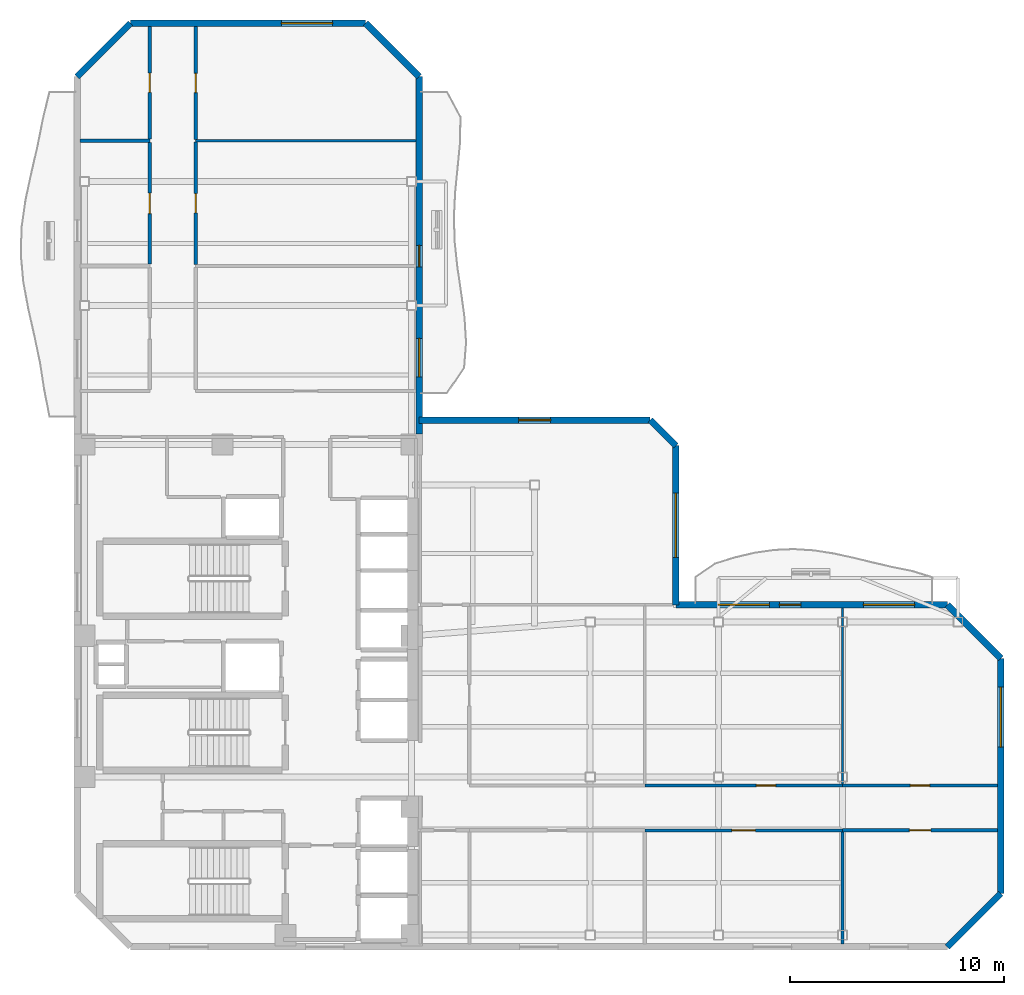
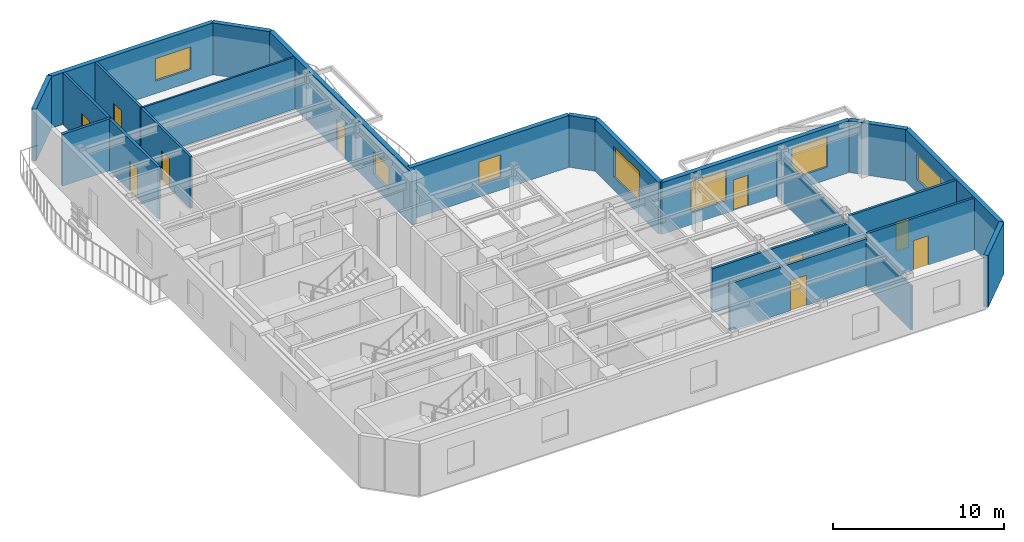
# One storey, part 5 of 9: 23 walls, 10 doors, 7 windows, 17 openings.
"""IFC4 building model written with IfcOpenShell, lengths in metres."""

from ifc_helpers import new_model, si_unit, direction, frame, frame_2d, origin, place, context, subcontext, project, spatial, rectangle, extrude, material, layer, layer_set, type_object, element, fill, save


model = new_model("IFC4")

# Units and contexts
model_context = context("Model", 3, precision=1e-05, world=origin(), true_north=direction((0.0, 1.0)))
body_context = subcontext(model_context, "Body", "Model", "MODEL_VIEW")
ifc_project = project(units=[si_unit("LENGTHUNIT", "METRE"), si_unit("AREAUNIT", "SQUARE_METRE"), si_unit("VOLUMEUNIT", "CUBIC_METRE"), si_unit("PLANEANGLEUNIT", "RADIAN"), si_unit("MASSUNIT", "GRAM", prefix="KILO")], contexts=[model_context])

# Site, building, storey
site_placement = place(None, origin())
site = spatial("IfcSite", under=ifc_project, at=site_placement, CompositionType="ELEMENT")
building_placement = place(site_placement, origin())
building = spatial("IfcBuilding", under=site, at=building_placement, Name="Mawjaban Terraces University", CompositionType="ELEMENT")
storey_placement = place(building_placement, frame((0.0, 0.0, 175.800048828125)))
storey = spatial("IfcBuildingStorey", under=building, at=storey_placement, Name="L42", CompositionType="ELEMENT", Elevation=175.800048828125)

# Wall
ifc_material_1 = material(Name="Acoustic masonry blockwork", Category="masonry")
ifc_layer_1 = layer(ifc_material_1, 0.179931640625)
ifc_layer_set_1 = layer_set([ifc_layer_1], Name="Acoustic masonry blockwork")
wall_type_1 = type_object("IfcWallType", Name="AcousticStudioWall_180", PredefinedType="PARTITIONING", material=ifc_layer_set_1)
wall_1_placement = place(storey_placement, frame((25.39990234375, 37.699951171875, 0.0), z_axis=(0.0, 0.0, 1.0), x_axis=(-1.0, 0.0, 0.0)))
element("IfcWall", 1, at=wall_1_placement, inside=storey, type_object=wall_type_1, Name="L42 Design Studio 10 Partition 5", PredefinedType="PARTITIONING", context=body_context, shape_type="SweptSolid", body=[
    extrude(rectangle(XDim=3.2548828125, YDim=0.179931640625, at=frame_2d((1.62744140625, 0.0))), origin(), (0.0, 0.0, 1.0), 3.68994140625),
])

# Wall, opening, door
wall_2_placement = place(storey_placement, frame((25.39990234375, 37.614990234375, 0.0), z_axis=(0.0, 0.0, 1.0), x_axis=(0.0, -1.0, 0.0)))
wall_2 = element("IfcWall", 2, at=wall_2_placement, inside=storey, type_object=wall_type_1, Name="L42 West Shifted Academic Corridor Partition 30", PredefinedType="PARTITIONING", context=body_context, shape_type="SweptSolid", body=[
    extrude(rectangle(XDim=5.679931640625, YDim=0.179931640625, at=frame_2d((2.83984375, 0.0))), origin(), (0.0, 0.0, 1.0), 3.68994140625),
])
opening_1_placement = place(wall_2_placement, frame((2.364990234375, 0.0, 0.0)))
opening_1 = element("IfcOpeningElement", 3, at=opening_1_placement, cuts=wall_2, Name="Opening ID-095", PredefinedType="OPENING", context=body_context, shape_type="SweptSolid", body=[
    extrude(rectangle(XDim=0.949951171875, YDim=2.10009765625, at=frame_2d((0.47509765625, 1.050048828125))), frame((0.0, 0.099853515625, 0.0), z_axis=(0.0, -1.0, 0.0), x_axis=(1.0, 0.0, 0.0)), (0.0, 0.0, 1.0), 0.199951171875),
])
ifc_material_2 = material(Name="Powder-coated steel frame and solid acoustic timber leaf", Category="steel")
door_type_1 = type_object("IfcDoorType", Name="StudioDoor_950x2100", OperationType="NOTDEFINED", PredefinedType="DOOR", material=ifc_material_2)
door_1_placement = place(opening_1_placement, origin())
door_1 = element("IfcDoor", 4, at=door_1_placement, inside=storey, type_object=door_type_1, Name="L42 Design Studio 10 Door", OperationType="SINGLE_SWING_LEFT", OverallHeight=2.10009765625, OverallWidth=0.949951171875, PredefinedType="DOOR", context=body_context, shape_type="SweptSolid", body=[
    extrude(rectangle(XDim=0.949951171875, YDim=2.10009765625, at=frame_2d((0.47509765625, 1.050048828125))), frame((0.0, 0.02490234375, 0.0), z_axis=(0.0, -1.0, 0.0), x_axis=(1.0, 0.0, 0.0)), (0.0, 0.0, 1.0), 0.050048828125),
])
fill(opening_1, door_1)

ifc_material_3 = material(Name="Fire-rated gypsum board on steel stud", Category="steel")
ifc_layer_2 = layer(ifc_material_3, 0.159912109375)
ifc_layer_set_2 = layer_set([ifc_layer_2], Name="Fire-rated gypsum board on steel stud")
wall_type_2 = type_object("IfcWallType", Name="CorridorPartition_160", PredefinedType="PARTITIONING", material=ifc_layer_set_2)
wall_3_placement = place(storey_placement, frame((57.800048828125, 5.449951171875, 0.0), z_axis=(0.0, 0.0, 1.0), x_axis=(1.0, 0.0, 0.0)))
wall_3 = element("IfcWall", 5, at=wall_3_placement, inside=storey, type_object=wall_type_2, Name="L42 South Shifted Academic Corridor Partition 25", PredefinedType="PARTITIONING", context=body_context, shape_type="SweptSolid", body=[
    extrude(rectangle(XDim=7.2548828125, YDim=0.159912109375, at=frame_2d((3.62744140625, 0.0))), origin(), (0.0, 0.0, 1.0), 3.68994140625),
])
opening_2_placement = place(wall_3_placement, frame((3.1279296875, 0.0, 0.0)))
opening_2 = element("IfcOpeningElement", 6, at=opening_2_placement, cuts=wall_3, Name="Opening ID-100", PredefinedType="OPENING", context=body_context, shape_type="SweptSolid", body=[
    extrude(rectangle(XDim=1.0, YDim=2.10009765625, at=frame_2d((0.5, 1.050048828125))), frame((0.0, 0.08984375, 0.0), z_axis=(0.0, -1.0, 0.0), x_axis=(1.0, 0.0, 0.0)), (0.0, 0.0, 1.0), 0.179931640625),
])
door_type_2 = type_object("IfcDoorType", Name="ClassroomDoor_1000x2100", OperationType="NOTDEFINED", PredefinedType="DOOR", material=ifc_material_2)
door_2_placement = place(opening_2_placement, origin())
door_2 = element("IfcDoor", 7, at=door_2_placement, inside=storey, type_object=door_type_2, Name="L42 Classroom 6 Door", OperationType="SINGLE_SWING_LEFT", OverallHeight=2.10009765625, OverallWidth=1.0, PredefinedType="DOOR", context=body_context, shape_type="SweptSolid", body=[
    extrude(rectangle(XDim=1.0, YDim=2.10009765625, at=frame_2d((0.5, 1.050048828125))), frame((0.0, 0.02490234375, 0.0), z_axis=(0.0, -1.0, 0.0), x_axis=(1.0, 0.0, 0.0)), (0.0, 0.0, 1.0), 0.050048828125),
])
fill(opening_2, door_2)

wall_4_placement = place(storey_placement, frame((57.800048828125, 7.550048828125, 0.0), z_axis=(0.0, 0.0, 1.0), x_axis=(-1.0, 0.0, 0.0)))
wall_4 = element("IfcWall", 8, at=wall_4_placement, inside=storey, type_object=wall_type_2, Name="L42 South Shifted Academic Corridor Partition 26", PredefinedType="PARTITIONING", context=body_context, shape_type="SweptSolid", body=[
    extrude(rectangle(XDim=9.25, YDim=0.159912109375, at=frame_2d((4.625, 0.0))), origin(), (0.0, 0.0, 1.0), 3.138916015625),
])
opening_3_placement = place(wall_4_placement, frame((3.125, 0.0, 0.0)))
opening_3 = element("IfcOpeningElement", 9, at=opening_3_placement, cuts=wall_4, Name="Opening ID-090", PredefinedType="OPENING", context=body_context, shape_type="SweptSolid", body=[
    extrude(rectangle(XDim=0.89990234375, YDim=2.10009765625, at=frame_2d((0.449951171875, 1.050048828125))), frame((0.0, 0.08984375, 0.0), z_axis=(0.0, -1.0, 0.0), x_axis=(1.0, 0.0, 0.0)), (0.0, 0.0, 1.0), 0.179931640625),
])
door_type_3 = type_object("IfcDoorType", Name="OfficeDoor_900x2100", OperationType="NOTDEFINED", PredefinedType="DOOR", material=ifc_material_2)
door_3_placement = place(opening_3_placement, origin())
door_3 = element("IfcDoor", 10, at=door_3_placement, inside=storey, type_object=door_type_3, Name="L42 Seminar Room 5 Door", OperationType="SINGLE_SWING_RIGHT", OverallHeight=2.10009765625, OverallWidth=0.89990234375, PredefinedType="DOOR", context=body_context, shape_type="SweptSolid", body=[
    extrude(rectangle(XDim=0.89990234375, YDim=2.10009765625, at=frame_2d((0.449951171875, 1.050048828125))), frame((0.0, 0.02490234375, 0.0), z_axis=(0.0, -1.0, 0.0), x_axis=(1.0, 0.0, 0.0)), (0.0, 0.0, 1.0), 0.050048828125),
])
fill(opening_3, door_3)

wall_5_placement = place(storey_placement, frame((65.054931640625, 7.550048828125, 0.0), z_axis=(0.0, 0.0, 1.0), x_axis=(-1.0, 0.0, 0.0)))
wall_5 = element("IfcWall", 11, at=wall_5_placement, inside=storey, type_object=wall_type_2, Name="L42 South Shifted Academic Corridor Partition 27", PredefinedType="PARTITIONING", context=body_context, shape_type="SweptSolid", body=[
    extrude(rectangle(XDim=7.2548828125, YDim=0.159912109375, at=frame_2d((3.62744140625, 0.0))), origin(), (0.0, 0.0, 1.0), 3.68994140625),
])
opening_4_placement = place(wall_5_placement, frame((3.177978515625, 0.0, 0.0)))
opening_4 = element("IfcOpeningElement", 12, at=opening_4_placement, cuts=wall_5, Name="Opening ID-090", PredefinedType="OPENING", context=body_context, shape_type="SweptSolid", body=[
    extrude(rectangle(XDim=0.89990234375, YDim=2.10009765625, at=frame_2d((0.449951171875, 1.050048828125))), frame((0.0, 0.08984375, 0.0), z_axis=(0.0, -1.0, 0.0), x_axis=(1.0, 0.0, 0.0)), (0.0, 0.0, 1.0), 0.179931640625),
])
door_4_placement = place(opening_4_placement, origin())
door_4 = element("IfcDoor", 13, at=door_4_placement, inside=storey, type_object=door_type_3, Name="L42 Faculty Office 7 Door", OperationType="SINGLE_SWING_RIGHT", OverallHeight=2.10009765625, OverallWidth=0.89990234375, PredefinedType="DOOR", context=body_context, shape_type="SweptSolid", body=[
    extrude(rectangle(XDim=0.89990234375, YDim=2.10009765625, at=frame_2d((0.449951171875, 1.050048828125))), frame((0.0, 0.02490234375, 0.0), z_axis=(0.0, -1.0, 0.0), x_axis=(1.0, 0.0, 0.0)), (0.0, 0.0, 1.0), 0.050048828125),
])
fill(opening_4, door_4)

wall_6_placement = place(storey_placement, frame((25.39990234375, 43.054931640625, 0.0), z_axis=(0.0, 0.0, 1.0), x_axis=(0.0, -1.0, 0.0)))
wall_6 = element("IfcWall", 14, at=wall_6_placement, inside=storey, type_object=wall_type_2, Name="L42 West Shifted Academic Corridor Partition 31", PredefinedType="PARTITIONING", context=body_context, shape_type="SweptSolid", body=[
    extrude(rectangle(XDim=5.27001953125, YDim=0.159912109375, at=frame_2d((2.635009765625, 0.0))), origin(), (0.0, 0.0, 1.0), 3.68994140625),
])
opening_5_placement = place(wall_6_placement, frame((2.18505859375, 0.0, 0.0)))
opening_5 = element("IfcOpeningElement", 15, at=opening_5_placement, cuts=wall_6, Name="Opening ID-090", PredefinedType="OPENING", context=body_context, shape_type="SweptSolid", body=[
    extrude(rectangle(XDim=0.89990234375, YDim=2.10009765625, at=frame_2d((0.449951171875, 1.050048828125))), frame((0.0, 0.08984375, 0.0), z_axis=(0.0, -1.0, 0.0), x_axis=(1.0, 0.0, 0.0)), (0.0, 0.0, 1.0), 0.179931640625),
])
door_5_placement = place(opening_5_placement, origin())
door_5 = element("IfcDoor", 16, at=door_5_placement, inside=storey, type_object=door_type_3, Name="L42 Quiet Reading Room 12 Door", OperationType="SINGLE_SWING_LEFT", OverallHeight=2.10009765625, OverallWidth=0.89990234375, PredefinedType="DOOR", context=body_context, shape_type="SweptSolid", body=[
    extrude(rectangle(XDim=0.89990234375, YDim=2.10009765625, at=frame_2d((0.449951171875, 1.050048828125))), frame((0.0, 0.02490234375, 0.0), z_axis=(0.0, -1.0, 0.0), x_axis=(1.0, 0.0, 0.0)), (0.0, 0.0, 1.0), 0.050048828125),
])
fill(opening_5, door_5)

wall_7_placement = place(storey_placement, frame((27.550048828125, 31.91796875, 0.0), z_axis=(0.0, 0.0, 1.0), x_axis=(0.0, 1.0, 0.0)))
wall_7 = element("IfcWall", 17, at=wall_7_placement, inside=storey, type_object=wall_type_2, Name="L42 West Shifted Academic Corridor Partition 36", PredefinedType="PARTITIONING", context=body_context, shape_type="SweptSolid", body=[
    extrude(rectangle(XDim=5.72509765625, YDim=0.159912109375, at=frame_2d((2.862548828125, 0.0))), origin(), (0.0, 0.0, 1.0), 3.68994140625),
])
opening_6_placement = place(wall_7_placement, frame((2.4130859375, 0.0, 0.0)))
opening_6 = element("IfcOpeningElement", 18, at=opening_6_placement, cuts=wall_7, Name="Opening ID-090", PredefinedType="OPENING", context=body_context, shape_type="SweptSolid", body=[
    extrude(rectangle(XDim=0.89990234375, YDim=2.10009765625, at=frame_2d((0.449951171875, 1.050048828125))), frame((0.0, 0.08984375, 0.0), z_axis=(0.0, -1.0, 0.0), x_axis=(1.0, 0.0, 0.0)), (0.0, 0.0, 1.0), 0.179931640625),
])
door_6_placement = place(opening_6_placement, origin())
door_6 = element("IfcDoor", 19, at=door_6_placement, inside=storey, type_object=door_type_3, Name="L42 Faculty Office 11 Door", OperationType="SINGLE_SWING_RIGHT", OverallHeight=2.10009765625, OverallWidth=0.89990234375, PredefinedType="DOOR", context=body_context, shape_type="SweptSolid", body=[
    extrude(rectangle(XDim=0.89990234375, YDim=2.10009765625, at=frame_2d((0.449951171875, 1.050048828125))), frame((0.0, 0.02490234375, 0.0), z_axis=(0.0, -1.0, 0.0), x_axis=(1.0, 0.0, 0.0)), (0.0, 0.0, 1.0), 0.050048828125),
])
fill(opening_6, door_6)

wall_8_placement = place(storey_placement, frame((27.550048828125, 37.758056640625, 0.0), z_axis=(0.0, 0.0, 1.0), x_axis=(0.0, 1.0, 0.0)))
wall_8 = element("IfcWall", 20, at=wall_8_placement, inside=storey, type_object=wall_type_2, Name="L42 West Shifted Academic Corridor Partition 37", PredefinedType="PARTITIONING", context=body_context, shape_type="SweptSolid", body=[
    extrude(rectangle(XDim=5.296875, YDim=0.159912109375, at=frame_2d((2.6484375, 0.0))), origin(), (0.0, 0.0, 1.0), 3.68994140625),
])
opening_7_placement = place(wall_8_placement, frame((2.197998046875, 0.0, 0.0)))
opening_7 = element("IfcOpeningElement", 21, at=opening_7_placement, cuts=wall_8, Name="Opening ID-090", PredefinedType="OPENING", context=body_context, shape_type="SweptSolid", body=[
    extrude(rectangle(XDim=0.89990234375, YDim=2.10009765625, at=frame_2d((0.449951171875, 1.050048828125))), frame((0.0, 0.08984375, 0.0), z_axis=(0.0, -1.0, 0.0), x_axis=(1.0, 0.0, 0.0)), (0.0, 0.0, 1.0), 0.179931640625),
])
door_7_placement = place(opening_7_placement, origin())
door_7 = element("IfcDoor", 22, at=door_7_placement, inside=storey, type_object=door_type_3, Name="L42 Collaborative Study Room 13 Door", OperationType="SINGLE_SWING_RIGHT", OverallHeight=2.10009765625, OverallWidth=0.89990234375, PredefinedType="DOOR", context=body_context, shape_type="SweptSolid", body=[
    extrude(rectangle(XDim=0.89990234375, YDim=2.10009765625, at=frame_2d((0.449951171875, 1.050048828125))), frame((0.0, 0.02490234375, 0.0), z_axis=(0.0, -1.0, 0.0), x_axis=(1.0, 0.0, 0.0)), (0.0, 0.0, 1.0), 0.050048828125),
])
fill(opening_7, door_7)

# Wall
ifc_material_4 = material(Name="Insulated terracotta rainscreen on concrete backup C40/50", Category="masonry")
ifc_layer_3 = layer(ifc_material_4, 0.300048828125)
ifc_layer_set_3 = layer_set([ifc_layer_3], Name="Insulated terracotta rainscreen on concrete backup C40/50")
wall_type_3 = type_object("IfcWallType", Name="ExtTerracottaWall_300", PredefinedType="SOLIDWALL", material=ifc_layer_set_3)
wall_9_placement = place(storey_placement, frame((62.699951171875, 0.0, 0.0), z_axis=(0.0, 0.0, 1.0), x_axis=(0.707106781187, 0.707106781187, 0.0)))
element("IfcWall", 23, at=wall_9_placement, inside=storey, type_object=wall_type_3, Name="L42 Exterior Terracotta Wall 2", PredefinedType="SOLIDWALL", context=body_context, shape_type="SweptSolid", body=[
    extrude(rectangle(XDim=3.53564453125, YDim=0.300048828125, at=frame_2d((1.767822265625, 0.0))), origin(), (0.0, 0.0, 1.0), 3.68994140625),
])

# Wall, opening, window
wall_10_placement = place(storey_placement, frame((65.199951171875, 2.5, 0.0), z_axis=(0.0, 0.0, 1.0), x_axis=(0.0, 1.0, 0.0)))
wall_10 = element("IfcWall", 24, at=wall_10_placement, inside=storey, type_object=wall_type_3, Name="L42 Exterior Terracotta Wall 3", PredefinedType="SOLIDWALL", context=body_context, shape_type="SweptSolid", body=[
    extrude(rectangle(XDim=11.0, YDim=0.300048828125, at=frame_2d((5.5, 0.0))), origin(), (0.0, 0.0, 1.0), 3.68994140625),
])
opening_8_placement = place(wall_10_placement, frame((6.85009765625, 0.0, 0.89990234375)))
opening_8 = element("IfcOpeningElement", 25, at=opening_8_placement, cuts=wall_10, Name="Opening W-09", PredefinedType="OPENING", context=body_context, shape_type="SweptSolid", body=[
    extrude(rectangle(XDim=2.800048828125, YDim=1.800048828125, at=frame_2d((1.39990234375, 0.89990234375))), frame((0.0, 0.159912109375, 0.0), z_axis=(0.0, -1.0, 0.0), x_axis=(1.0, 0.0, 0.0)), (0.0, 0.0, 1.0), 0.320068359375),
])
ifc_material_5 = material(Name="Low-E solar-control double glazing in thermally broken aluminium frame", Category="aluminium")
window_type_1 = type_object("IfcWindowType", Name="Win_2800x1800", PartitioningType="SINGLE_PANEL", PredefinedType="WINDOW", material=ifc_material_5)
window_1_placement = place(opening_8_placement, origin())
window_1 = element("IfcWindow", 26, at=window_1_placement, inside=storey, type_object=window_type_1, Name="L42 Facade Window 3.2", OverallHeight=1.800048828125, OverallWidth=2.800048828125, PartitioningType="SINGLE_PANEL", PredefinedType="WINDOW", context=body_context, shape_type="SweptSolid", body=[
    extrude(rectangle(XDim=2.800048828125, YDim=1.800048828125, at=frame_2d((1.39990234375, 0.89990234375))), frame((0.0, 0.030029296875, 0.0), z_axis=(0.0, -1.0, 0.0), x_axis=(1.0, 0.0, 0.0)), (0.0, 0.0, 1.0), 0.06005859375),
])
fill(opening_8, window_1)

# Wall
wall_11_placement = place(storey_placement, frame((65.199951171875, 13.5, 0.0), z_axis=(0.0, 0.0, 1.0), x_axis=(-0.707106781187, 0.707106781187, 0.0)))
element("IfcWall", 27, at=wall_11_placement, inside=storey, type_object=wall_type_3, Name="L42 Exterior Terracotta Wall 4", PredefinedType="SOLIDWALL", context=body_context, shape_type="SweptSolid", body=[
    extrude(rectangle(XDim=3.53564453125, YDim=0.300048828125, at=frame_2d((1.767822265625, 0.0))), origin(), (0.0, 0.0, 1.0), 3.68994140625),
])

# Wall, openings, door, windows
wall_12_placement = place(storey_placement, frame((62.699951171875, 16.0, 0.0), z_axis=(0.0, 0.0, 1.0), x_axis=(-1.0, 0.0, 0.0)))
wall_12 = element("IfcWall", 28, at=wall_12_placement, inside=storey, type_object=wall_type_3, Name="L42 Exterior Terracotta Wall 5", PredefinedType="SOLIDWALL", context=body_context, shape_type="SweptSolid", body=[
    extrude(rectangle(XDim=12.699951171875, YDim=0.300048828125, at=frame_2d((6.35009765625, 0.0))), origin(), (0.0, 0.0, 1.0), 3.68994140625),
])
opening_9_placement = place(wall_12_placement, frame((6.85009765625, 0.0, 0.0)))
opening_9 = element("IfcOpeningElement", 29, at=opening_9_placement, cuts=wall_12, Name="Opening BD-100", PredefinedType="OPENING", context=body_context, shape_type="SweptSolid", body=[
    extrude(rectangle(XDim=1.0, YDim=2.199951171875, at=frame_2d((0.5, 1.10009765625))), frame((0.0, 0.159912109375, 0.0), z_axis=(0.0, -1.0, 0.0), x_axis=(1.0, 0.0, 0.0)), (0.0, 0.0, 1.0), 0.320068359375),
])
opening_10_placement = place(wall_12_placement, frame((1.52490234375, 0.0, 0.89990234375)))
opening_10 = element("IfcOpeningElement", 30, at=opening_10_placement, cuts=wall_12, Name="Opening W-11", PredefinedType="OPENING", context=body_context, shape_type="SweptSolid", body=[
    extrude(rectangle(XDim=2.39990234375, YDim=2.199951171875, at=frame_2d((1.199951171875, 1.10009765625))), frame((0.0, 0.159912109375, 0.0), z_axis=(0.0, -1.0, 0.0), x_axis=(1.0, 0.0, 0.0)), (0.0, 0.0, 1.0), 0.320068359375),
])
opening_11_placement = place(wall_12_placement, frame((8.324951171875, 0.0, 0.89990234375)))
opening_11 = element("IfcOpeningElement", 31, at=opening_11_placement, cuts=wall_12, Name="Opening W-11", PredefinedType="OPENING", context=body_context, shape_type="SweptSolid", body=[
    extrude(rectangle(XDim=2.39990234375, YDim=2.199951171875, at=frame_2d((1.199951171875, 1.10009765625))), frame((0.0, 0.159912109375, 0.0), z_axis=(0.0, -1.0, 0.0), x_axis=(1.0, 0.0, 0.0)), (0.0, 0.0, 1.0), 0.320068359375),
])
ifc_material_6 = material(Name="Thermally broken anodised aluminium and laminated safety glass", Category="aluminium")
door_type_4 = type_object("IfcDoorType", Name="BalconyGlazedDoor_1000x2200", OperationType="NOTDEFINED", PredefinedType="DOOR", material=ifc_material_6)
door_8_placement = place(opening_9_placement, origin())
door_8 = element("IfcDoor", 32, at=door_8_placement, inside=storey, type_object=door_type_4, Name="L42 Balcony Access Door inner_north", OperationType="SINGLE_SWING_LEFT", OverallHeight=2.199951171875, OverallWidth=1.0, PredefinedType="DOOR", context=body_context, shape_type="SweptSolid", body=[
    extrude(rectangle(XDim=1.0, YDim=2.199951171875, at=frame_2d((0.5, 1.10009765625))), frame((0.0, 0.02490234375, 0.0), z_axis=(0.0, -1.0, 0.0), x_axis=(1.0, 0.0, 0.0)), (0.0, 0.0, 1.0), 0.050048828125),
])
fill(opening_9, door_8)
window_type_2 = type_object("IfcWindowType", Name="Win_2400x2200", PartitioningType="SINGLE_PANEL", PredefinedType="WINDOW", material=ifc_material_5)
window_2_placement = place(opening_10_placement, origin())
window_2 = element("IfcWindow", 33, at=window_2_placement, inside=storey, type_object=window_type_2, Name="L42 Facade Window 5.1", OverallHeight=2.199951171875, OverallWidth=2.39990234375, PartitioningType="SINGLE_PANEL", PredefinedType="WINDOW", context=body_context, shape_type="SweptSolid", body=[
    extrude(rectangle(XDim=2.39990234375, YDim=2.199951171875, at=frame_2d((1.199951171875, 1.10009765625))), frame((0.0, 0.030029296875, 0.0), z_axis=(0.0, -1.0, 0.0), x_axis=(1.0, 0.0, 0.0)), (0.0, 0.0, 1.0), 0.06005859375),
])
fill(opening_10, window_2)
window_3_placement = place(opening_11_placement, origin())
window_3 = element("IfcWindow", 34, at=window_3_placement, inside=storey, type_object=window_type_2, Name="L42 Facade Window 5.2", OverallHeight=2.199951171875, OverallWidth=2.39990234375, PartitioningType="SINGLE_PANEL", PredefinedType="WINDOW", context=body_context, shape_type="SweptSolid", body=[
    extrude(rectangle(XDim=2.39990234375, YDim=2.199951171875, at=frame_2d((1.199951171875, 1.10009765625))), frame((0.0, 0.030029296875, 0.0), z_axis=(0.0, -1.0, 0.0), x_axis=(1.0, 0.0, 0.0)), (0.0, 0.0, 1.0), 0.06005859375),
])
fill(opening_11, window_3)

# Wall, opening, window
wall_13_placement = place(storey_placement, frame((50.0, 16.0, 0.0), z_axis=(0.0, 0.0, 1.0), x_axis=(0.0, 1.0, 0.0)))
wall_13 = element("IfcWall", 35, at=wall_13_placement, inside=storey, type_object=wall_type_3, Name="L42 Exterior Terracotta Wall 6", PredefinedType="SOLIDWALL", context=body_context, shape_type="SweptSolid", body=[
    extrude(rectangle(XDim=7.43994140625, YDim=0.300048828125, at=frame_2d((3.719970703125, 0.0))), origin(), (0.0, 0.0, 1.0), 3.68994140625),
])
opening_12_placement = place(wall_13_placement, frame((2.219970703125, 0.0, 0.89990234375)))
opening_12 = element("IfcOpeningElement", 36, at=opening_12_placement, cuts=wall_13, Name="Opening W-12", PredefinedType="OPENING", context=body_context, shape_type="SweptSolid", body=[
    extrude(rectangle(XDim=3.0, YDim=2.199951171875, at=frame_2d((1.5, 1.10009765625))), frame((0.0, 0.159912109375, 0.0), z_axis=(0.0, -1.0, 0.0), x_axis=(1.0, 0.0, 0.0)), (0.0, 0.0, 1.0), 0.320068359375),
])
window_type_3 = type_object("IfcWindowType", Name="Win_3000x2200", PartitioningType="SINGLE_PANEL", PredefinedType="WINDOW", material=ifc_material_5)
window_4_placement = place(opening_12_placement, origin())
window_4 = element("IfcWindow", 37, at=window_4_placement, inside=storey, type_object=window_type_3, Name="L42 Facade Window 6.1", OverallHeight=2.199951171875, OverallWidth=3.0, PartitioningType="SINGLE_PANEL", PredefinedType="WINDOW", context=body_context, shape_type="SweptSolid", body=[
    extrude(rectangle(XDim=3.0, YDim=2.199951171875, at=frame_2d((1.5, 1.10009765625))), frame((0.0, 0.030029296875, 0.0), z_axis=(0.0, -1.0, 0.0), x_axis=(1.0, 0.0, 0.0)), (0.0, 0.0, 1.0), 0.06005859375),
])
fill(opening_12, window_4)

# Wall
wall_14_placement = place(storey_placement, frame((50.0, 23.43994140625, 0.0), z_axis=(0.0, 0.0, 1.0), x_axis=(-0.707106781187, 0.707106781187, 0.0)))
element("IfcWall", 38, at=wall_14_placement, inside=storey, type_object=wall_type_3, Name="L42 Exterior Terracotta Wall 7", PredefinedType="SOLIDWALL", context=body_context, shape_type="SweptSolid", body=[
    extrude(rectangle(XDim=1.697021484375, YDim=0.300048828125, at=frame_2d((0.8486328125, 0.0))), origin(), (0.0, 0.0, 1.0), 3.68994140625),
])

# Wall, opening, window
wall_15_placement = place(storey_placement, frame((48.800048828125, 24.639892578125, 0.0), z_axis=(0.0, 0.0, 1.0), x_axis=(-1.0, 0.0, 0.0)))
wall_15 = element("IfcWall", 39, at=wall_15_placement, inside=storey, type_object=wall_type_3, Name="L42 Exterior Terracotta Wall 8", PredefinedType="SOLIDWALL", context=body_context, shape_type="SweptSolid", body=[
    extrude(rectangle(XDim=10.800048828125, YDim=0.300048828125, at=frame_2d((5.39990234375, 0.0))), origin(), (0.0, 0.0, 1.0), 3.68994140625),
])
opening_13_placement = place(wall_15_placement, frame((4.64990234375, 0.0, 0.89990234375)))
opening_13 = element("IfcOpeningElement", 40, at=opening_13_placement, cuts=wall_15, Name="Opening W-02", PredefinedType="OPENING", context=body_context, shape_type="SweptSolid", body=[
    extrude(rectangle(XDim=1.5, YDim=1.60009765625, at=frame_2d((0.75, 0.800048828125))), frame((0.0, 0.159912109375, 0.0), z_axis=(0.0, -1.0, 0.0), x_axis=(1.0, 0.0, 0.0)), (0.0, 0.0, 1.0), 0.320068359375),
])
window_type_4 = type_object("IfcWindowType", Name="Win_1500x1600", PartitioningType="SINGLE_PANEL", PredefinedType="WINDOW", material=ifc_material_5)
window_5_placement = place(opening_13_placement, origin())
window_5 = element("IfcWindow", 41, at=window_5_placement, inside=storey, type_object=window_type_4, Name="L42 Facade Window 8.1", OverallHeight=1.60009765625, OverallWidth=1.5, PartitioningType="SINGLE_PANEL", PredefinedType="WINDOW", context=body_context, shape_type="SweptSolid", body=[
    extrude(rectangle(XDim=1.5, YDim=1.60009765625, at=frame_2d((0.75, 0.800048828125))), frame((0.0, 0.030029296875, 0.0), z_axis=(0.0, -1.0, 0.0), x_axis=(1.0, 0.0, 0.0)), (0.0, 0.0, 1.0), 0.06005859375),
])
fill(opening_13, window_5)

# Wall, openings, door, window
wall_16_placement = place(storey_placement, frame((38.0, 24.0, 0.0), z_axis=(0.0, 0.0, 1.0), x_axis=(0.0, 1.0, 0.0)))
wall_16 = element("IfcWall", 42, at=wall_16_placement, inside=storey, type_object=wall_type_3, Name="L42 Exterior Terracotta Wall 9", PredefinedType="SOLIDWALL", context=body_context, shape_type="SweptSolid", body=[
    extrude(rectangle(XDim=16.699951171875, YDim=0.300048828125, at=frame_2d((8.35009765625, 0.0))), origin(), (0.0, 0.0, 1.0), 3.68994140625),
])
opening_14_placement = place(wall_16_placement, frame((7.81005859375, 0.0, 0.0)))
opening_14 = element("IfcOpeningElement", 43, at=opening_14_placement, cuts=wall_16, Name="Opening BD-100", PredefinedType="OPENING", context=body_context, shape_type="SweptSolid", body=[
    extrude(rectangle(XDim=1.0, YDim=2.199951171875, at=frame_2d((0.5, 1.10009765625))), frame((0.0, 0.159912109375, 0.0), z_axis=(0.0, -1.0, 0.0), x_axis=(1.0, 0.0, 0.0)), (0.0, 0.0, 1.0), 0.320068359375),
])
opening_15_placement = place(wall_16_placement, frame((2.6650390625, 0.0, 0.89990234375)))
opening_15 = element("IfcOpeningElement", 44, at=opening_15_placement, cuts=wall_16, Name="Opening W-03", PredefinedType="OPENING", context=body_context, shape_type="SweptSolid", body=[
    extrude(rectangle(XDim=1.800048828125, YDim=1.60009765625, at=frame_2d((0.89990234375, 0.800048828125))), frame((0.0, 0.159912109375, 0.0), z_axis=(0.0, -1.0, 0.0), x_axis=(1.0, 0.0, 0.0)), (0.0, 0.0, 1.0), 0.320068359375),
])
door_9_placement = place(opening_14_placement, origin())
door_9 = element("IfcDoor", 45, at=door_9_placement, inside=storey, type_object=door_type_4, Name="L42 Balcony Access Door inner_east", OperationType="SINGLE_SWING_LEFT", OverallHeight=2.199951171875, OverallWidth=1.0, PredefinedType="DOOR", context=body_context, shape_type="SweptSolid", body=[
    extrude(rectangle(XDim=1.0, YDim=2.199951171875, at=frame_2d((0.5, 1.10009765625))), frame((0.0, 0.02490234375, 0.0), z_axis=(0.0, -1.0, 0.0), x_axis=(1.0, 0.0, 0.0)), (0.0, 0.0, 1.0), 0.050048828125),
])
fill(opening_14, door_9)
window_type_5 = type_object("IfcWindowType", Name="Win_1800x1600", PartitioningType="SINGLE_PANEL", PredefinedType="WINDOW", material=ifc_material_5)
window_6_placement = place(opening_15_placement, origin())
window_6 = element("IfcWindow", 46, at=window_6_placement, inside=storey, type_object=window_type_5, Name="L42 Facade Window 9.1", OverallHeight=1.60009765625, OverallWidth=1.800048828125, PartitioningType="SINGLE_PANEL", PredefinedType="WINDOW", context=body_context, shape_type="SweptSolid", body=[
    extrude(rectangle(XDim=1.800048828125, YDim=1.60009765625, at=frame_2d((0.89990234375, 0.800048828125))), frame((0.0, 0.030029296875, 0.0), z_axis=(0.0, -1.0, 0.0), x_axis=(1.0, 0.0, 0.0)), (0.0, 0.0, 1.0), 0.06005859375),
])
fill(opening_15, window_6)

# Wall
wall_17_placement = place(storey_placement, frame((38.0, 40.699951171875, 0.0), z_axis=(0.0, 0.0, 1.0), x_axis=(-0.707106781187, 0.707106781187, 0.0)))
element("IfcWall", 47, at=wall_17_placement, inside=storey, type_object=wall_type_3, Name="L42 Exterior Terracotta Wall 10", PredefinedType="SOLIDWALL", context=body_context, shape_type="SweptSolid", body=[
    extrude(rectangle(XDim=3.53564453125, YDim=0.300048828125, at=frame_2d((1.767822265625, 0.0))), origin(), (0.0, 0.0, 1.0), 3.68994140625),
])

# Wall, opening, window
wall_18_placement = place(storey_placement, frame((35.5, 43.199951171875, 0.0), z_axis=(0.0, 0.0, 1.0), x_axis=(-1.0, 0.0, 0.0)))
wall_18 = element("IfcWall", 48, at=wall_18_placement, inside=storey, type_object=wall_type_3, Name="L42 Exterior Terracotta Wall 11", PredefinedType="SOLIDWALL", context=body_context, shape_type="SweptSolid", body=[
    extrude(rectangle(XDim=11.0, YDim=0.300048828125, at=frame_2d((5.5, 0.0))), origin(), (0.0, 0.0, 1.0), 3.68994140625),
])
opening_16_placement = place(wall_18_placement, frame((1.550048828125, 0.0, 0.89990234375)))
opening_16 = element("IfcOpeningElement", 49, at=opening_16_placement, cuts=wall_18, Name="Opening W-05", PredefinedType="OPENING", context=body_context, shape_type="SweptSolid", body=[
    extrude(rectangle(XDim=2.39990234375, YDim=1.60009765625, at=frame_2d((1.199951171875, 0.800048828125))), frame((0.0, 0.159912109375, 0.0), z_axis=(0.0, -1.0, 0.0), x_axis=(1.0, 0.0, 0.0)), (0.0, 0.0, 1.0), 0.320068359375),
])
window_type_6 = type_object("IfcWindowType", Name="Win_2400x1600", PartitioningType="SINGLE_PANEL", PredefinedType="WINDOW", material=ifc_material_5)
window_7_placement = place(opening_16_placement, origin())
window_7 = element("IfcWindow", 50, at=window_7_placement, inside=storey, type_object=window_type_6, Name="L42 Facade Window 11.1", OverallHeight=1.60009765625, OverallWidth=2.39990234375, PartitioningType="SINGLE_PANEL", PredefinedType="WINDOW", context=body_context, shape_type="SweptSolid", body=[
    extrude(rectangle(XDim=2.39990234375, YDim=1.60009765625, at=frame_2d((1.199951171875, 0.800048828125))), frame((0.0, 0.030029296875, 0.0), z_axis=(0.0, -1.0, 0.0), x_axis=(1.0, 0.0, 0.0)), (0.0, 0.0, 1.0), 0.06005859375),
])
fill(opening_16, window_7)

# Wall
wall_19_placement = place(storey_placement, frame((24.5, 43.199951171875, 0.0), z_axis=(0.0, 0.0, 1.0), x_axis=(-0.707106781187, -0.707106781187, 0.0)))
element("IfcWall", 51, at=wall_19_placement, inside=storey, type_object=wall_type_3, Name="L42 Exterior Terracotta Wall 12", PredefinedType="SOLIDWALL", context=body_context, shape_type="SweptSolid", body=[
    extrude(rectangle(XDim=3.53564453125, YDim=0.300048828125, at=frame_2d((1.767822265625, 0.0))), origin(), (0.0, 0.0, 1.0), 3.68994140625),
])

# Wall, opening, door
ifc_material_7 = material(Name="Moisture-resistant gypsum board on steel stud", Category="steel")
ifc_layer_4 = layer(ifc_material_7, 0.14501953125)
ifc_layer_set_4 = layer_set([ifc_layer_4], Name="Moisture-resistant gypsum board on steel stud")
wall_type_4 = type_object("IfcWallType", Name="LabPartition_145", PredefinedType="PARTITIONING", material=ifc_layer_set_4)
wall_20_placement = place(storey_placement, frame((48.550048828125, 5.449951171875, 0.0), z_axis=(0.0, 0.0, 1.0), x_axis=(1.0, 0.0, 0.0)))
wall_20 = element("IfcWall", 52, at=wall_20_placement, inside=storey, type_object=wall_type_4, Name="L42 South Shifted Academic Corridor Partition 21", PredefinedType="PARTITIONING", context=body_context, shape_type="SweptSolid", body=[
    extrude(rectangle(XDim=9.25, YDim=0.14501953125, at=frame_2d((4.625, 0.0))), origin(), (0.0, 0.0, 1.0), 3.343017578125),
])
opening_17_placement = place(wall_20_placement, frame((4.074951171875, 0.0, 0.0)))
opening_17 = element("IfcOpeningElement", 53, at=opening_17_placement, cuts=wall_20, Name="Opening ID-110", PredefinedType="OPENING", context=body_context, shape_type="SweptSolid", body=[
    extrude(rectangle(XDim=1.10009765625, YDim=2.14990234375, at=frame_2d((0.550048828125, 1.074951171875))), frame((0.0, 0.08251953125, 0.0), z_axis=(0.0, -1.0, 0.0), x_axis=(1.0, 0.0, 0.0)), (0.0, 0.0, 1.0), 0.1650390625),
])
door_type_5 = type_object("IfcDoorType", Name="LabDoor_1100x2150", OperationType="NOTDEFINED", PredefinedType="DOOR", material=ifc_material_2)
door_10_placement = place(opening_17_placement, origin())
door_10 = element("IfcDoor", 54, at=door_10_placement, inside=storey, type_object=door_type_5, Name="L42 Teaching Laboratory 4 Door", OperationType="SINGLE_SWING_LEFT", OverallHeight=2.14990234375, OverallWidth=1.10009765625, PredefinedType="DOOR", context=body_context, shape_type="SweptSolid", body=[
    extrude(rectangle(XDim=1.10009765625, YDim=2.14990234375, at=frame_2d((0.550048828125, 1.074951171875))), frame((0.0, 0.02490234375, 0.0), z_axis=(0.0, -1.0, 0.0), x_axis=(1.0, 0.0, 0.0)), (0.0, 0.0, 1.0), 0.050048828125),
])
fill(opening_17, door_10)

# Walls
wall_21_placement = place(storey_placement, frame((57.800048828125, 0.14501953125, 0.0), z_axis=(0.0, 0.0, 1.0), x_axis=(0.0, 1.0, 0.0)))
element("IfcWall", 55, at=wall_21_placement, inside=storey, type_object=wall_type_4, Name="L42 Teaching Laboratory 4 Partition 51", PredefinedType="PARTITIONING", context=body_context, shape_type="SweptSolid", body=[
    extrude(rectangle(XDim=5.22998046875, YDim=0.14501953125, at=frame_2d((2.614990234375, 0.0))), origin(), (0.0, 0.0, 1.0), 3.138916015625),
])
ifc_material_8 = material(Name="Gypsum plasterboard on steel stud", Category="steel")
ifc_layer_5 = layer(ifc_material_8, 0.125)
ifc_layer_set_5 = layer_set([ifc_layer_5], Name="Gypsum plasterboard on steel stud")
wall_type_5 = type_object("IfcWallType", Name="OfficePartition_125", PredefinedType="PARTITIONING", material=ifc_layer_set_5)
wall_22_placement = place(storey_placement, frame((37.85009765625, 37.699951171875, 0.0), z_axis=(0.0, 0.0, 1.0), x_axis=(-1.0, 0.0, 0.0)))
element("IfcWall", 56, at=wall_22_placement, inside=storey, type_object=wall_type_5, Name="L42 Faculty Office 11 Partition 17", PredefinedType="PARTITIONING", context=body_context, shape_type="SweptSolid", body=[
    extrude(rectangle(XDim=10.300048828125, YDim=0.125, at=frame_2d((5.14990234375, 0.0))), origin(), (0.0, 0.0, 1.0), 3.68994140625),
])
ifc_material_9 = material(Name="Acoustic operable panel partition", Category="masonry")
ifc_layer_6 = layer(ifc_material_9, 0.110107421875)
ifc_layer_set_6 = layer_set([ifc_layer_6], Name="Acoustic operable panel partition")
wall_type_6 = type_object("IfcWallType", Name="OperableSeminarWall_110", PredefinedType="MOVABLE", material=ifc_layer_set_6)
wall_23_placement = place(storey_placement, frame((57.800048828125, 7.625, 0.0), z_axis=(0.0, 0.0, 1.0), x_axis=(0.0, 1.0, 0.0)))
element("IfcWall", 57, at=wall_23_placement, inside=storey, type_object=wall_type_6, Name="L42 Seminar Room 5 Partition 52", PredefinedType="MOVABLE", context=body_context, shape_type="SweptSolid", body=[
    extrude(rectangle(XDim=8.22998046875, YDim=0.110107421875, at=frame_2d((4.114990234375, 0.0))), origin(), (0.0, 0.0, 1.0), 3.138916015625),
])

save(model, "model.ifc")
